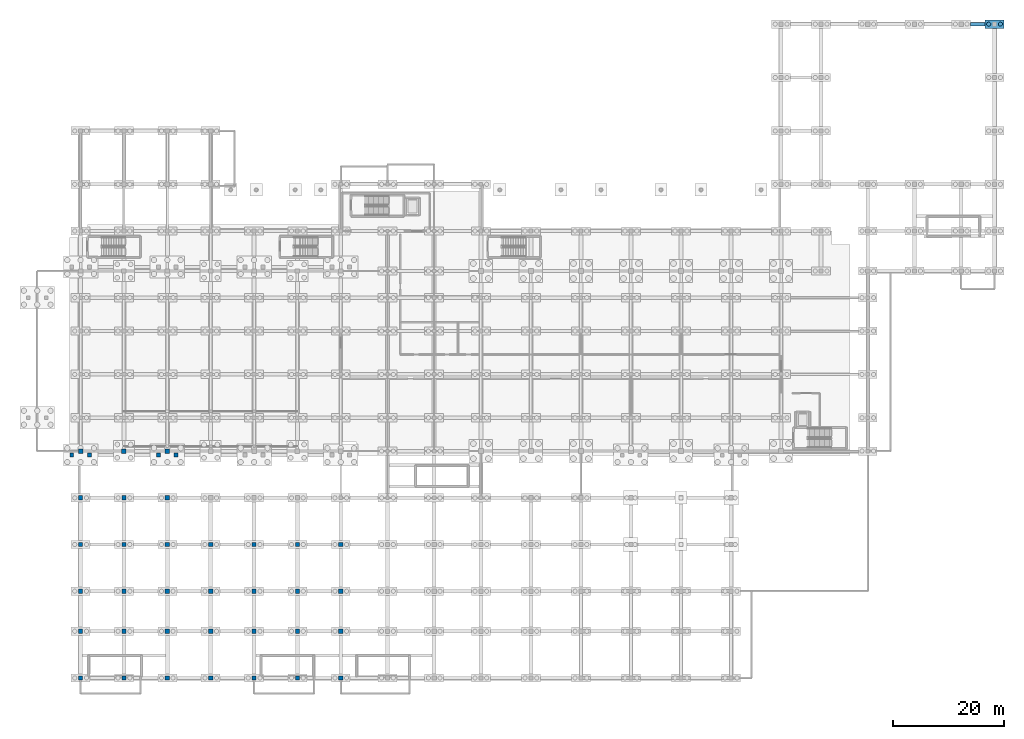
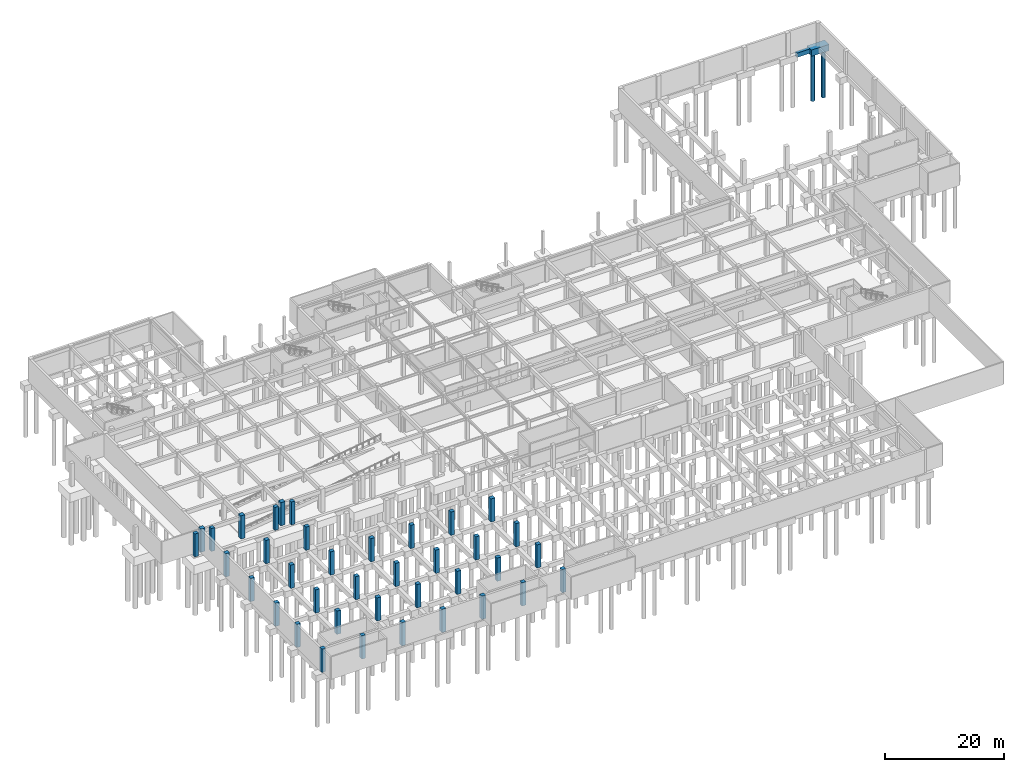
# One storey, part 9 of 26: 38 columns, 2 footings, 2 piles.
"""IFC4 building model written with IfcOpenShell, lengths in metres."""

from ifc_helpers import new_model, si_unit, direction, frame, origin, origin_2d, place, context, subcontext, project, spatial, rectangle, circle, extrude, material, material_profile, profile_set, type_object, element, save


model = new_model("IFC4")

# Units and contexts
model_context = context("Model", 3, precision=1e-05, world=origin(), true_north=direction((0.0, 1.0)))
body_context = subcontext(model_context, "Body", "Model", "MODEL_VIEW")
ifc_project = project(units=[si_unit("LENGTHUNIT", "METRE"), si_unit("AREAUNIT", "SQUARE_METRE"), si_unit("VOLUMEUNIT", "CUBIC_METRE"), si_unit("PLANEANGLEUNIT", "RADIAN"), si_unit("MASSUNIT", "GRAM", prefix="KILO")], contexts=[model_context])

# Site, building, storey
site_placement = place(None, origin())
site = spatial("IfcSite", under=ifc_project, at=site_placement, CompositionType="ELEMENT")
building_placement = place(site_placement, origin())
building = spatial("IfcBuilding", under=site, at=building_placement, Name="Tizgana Railside Sports Hall", CompositionType="ELEMENT")
storey_placement = place(building_placement, frame((0.0, 0.0, -4.800048828125)))
storey = spatial("IfcBuildingStorey", under=building, at=storey_placement, Name="B1", CompositionType="ELEMENT", Elevation=-4.800048828125)

# Piles
ifc_material_1 = material(Name="Concrete C35/45", Category="concrete")
ifc_material_profile_1 = material_profile(ifc_material_1, circle(Radius=0.375, at=origin_2d()), Name="PILE D750")
ifc_profile_set_1 = profile_set([ifc_material_profile_1], Name="Concrete C35/45")
pile_type = type_object("IfcPileType", Name="Bored Pile D750", PredefinedType="BORED", material=ifc_profile_set_1)
for number, where, z_axis, x_axis, name in (
    (1, (171.14990234375, 117.60009765625, -1.199951171875), (0.0, 0.0, -1.0), (1.0, 0.0, 0.0), "B1 PIL-0549"),
    (2, (173.25, 117.60009765625, -1.199951171875), (0.0, 0.0, -1.0), (1.0, 0.0, 0.0), "B1 PIL-0550"),
):
    element("IfcPile", number, at=place(storey_placement, frame(where, z_axis=z_axis, x_axis=x_axis)), inside=storey, type_object=pile_type, Name=name, PredefinedType="BORED", context=body_context, shape_type="SweptSolid", body=[
        extrude(circle(Radius=0.375, at=origin_2d()), origin(), (0.0, 0.0, 1.0), 9.800048828125),
    ])

# Footings
footing_type_1 = type_object("IfcFootingType", Name="Ground Tie Beam 600x900", PredefinedType="FOOTING_BEAM", material=ifc_material_1)
footing_1_placement = place(storey_placement, frame((169.199951171875, 117.60009765625, -0.89990234375), z_axis=(0.0, 0.0, 1.0), x_axis=(1.0, 0.0, 0.0)))
element("IfcFooting", 3, at=footing_1_placement, inside=storey, type_object=footing_type_1, Name="B1 FTG-0442", PredefinedType="FOOTING_BEAM", context=body_context, shape_type="SweptSolid", body=[
    extrude(rectangle(XDim=2.60400390625, YDim=0.60009765625, at=origin_2d()), origin(), (0.0, 0.0, 1.0), 0.89990234375),
])
footing_type_2 = type_object("IfcFootingType", Name="Two-Pile Cap 3400x1500x1300", PredefinedType="PILE_CAP", material=ifc_material_1)
footing_2_placement = place(storey_placement, frame((172.199951171875, 117.60009765625, -1.2998046875), z_axis=(0.0, 0.0, 1.0), x_axis=(1.0, 0.0, 0.0)))
element("IfcFooting", 4, at=footing_2_placement, inside=storey, type_object=footing_type_2, Name="B1 FTG-0234", PredefinedType="PILE_CAP", context=body_context, shape_type="SweptSolid", body=[
    extrude(rectangle(XDim=3.39990234375, YDim=1.5, at=origin_2d()), origin(), (0.0, 0.0, 1.0), 1.300048828125),
])

# Columns
ifc_material_2 = material(Name="Concrete C40/50", Category="concrete")
ifc_material_profile_2 = material_profile(ifc_material_2, rectangle(XDim=0.699951171875, YDim=0.699951171875, at=origin_2d()), Name="RC 700x700")
ifc_profile_set_2 = profile_set([ifc_material_profile_2], Name="Concrete C40/50")
column_type_1 = type_object("IfcColumnType", Name="Concrete Column RC 700x700", PredefinedType="COLUMN", material=ifc_profile_set_2)
for number, where, z_axis, x_axis, name in (
    (5, (6.205078125, 40.080078125, 0.0), (0.0, 0.0, 1.0), (1.0, 0.0, 0.0), "B1 COL-0004"),
    (6, (9.39501953125, 40.080078125, 0.0), (0.0, 0.0, 1.0), (1.0, 0.0, 0.0), "B1 COL-0006"),
    (7, (21.804931640625, 40.080078125, 0.0), (0.0, 0.0, 1.0), (1.0, 0.0, 0.0), "B1 COL-0052"),
    (8, (24.9951171875, 40.080078125, 0.0), (0.0, 0.0, 1.0), (1.0, 0.0, 0.0), "B1 COL-0054"),
):
    element("IfcColumn", number, at=place(storey_placement, frame(where, z_axis=z_axis, x_axis=x_axis)), inside=storey, type_object=column_type_1, Name=name, PredefinedType="COLUMN", context=body_context, shape_type="SweptSolid", body=[
        extrude(rectangle(XDim=0.699951171875, YDim=0.699951171875, at=origin_2d()), origin(), (0.0, 0.0, 1.0), 4.755126953125),
    ])
ifc_material_profile_3 = material_profile(ifc_material_2, rectangle(XDim=0.75, YDim=0.75, at=origin_2d()), Name="RC 750x750")
ifc_profile_set_3 = profile_set([ifc_material_profile_3], Name="Concrete C40/50")
column_type_2 = type_object("IfcColumnType", Name="Concrete Column RC 750x750", PredefinedType="COLUMN", material=ifc_profile_set_3)
for number, where, z_axis, x_axis, name in (
    (9, (7.800048828125, 0.0, 0.0), (0.0, 0.0, 1.0), (1.0, 0.0, 0.0), "B1 COL-0533"),
    (10, (7.800048828125, 8.39990234375, 0.0), (0.0, 0.0, 1.0), (1.0, 0.0, 0.0), "B1 COL-0540"),
    (11, (7.800048828125, 15.60009765625, 0.0), (0.0, 0.0, 1.0), (1.0, 0.0, 0.0), "B1 COL-0547"),
    (12, (7.800048828125, 24.0, 0.0), (0.0, 0.0, 1.0), (1.0, 0.0, 0.0), "B1 COL-0554"),
    (13, (7.800048828125, 32.39990234375, 0.0), (0.0, 0.0, 1.0), (1.0, 0.0, 0.0), "B1 COL-0560"),
    (14, (15.60009765625, 0.0, 0.0), (0.0, 0.0, 1.0), (1.0, 0.0, 0.0), "B1 COL-0566"),
    (15, (15.60009765625, 8.39990234375, 0.0), (0.0, 0.0, 1.0), (1.0, 0.0, 0.0), "B1 COL-0573"),
    (16, (15.60009765625, 15.60009765625, 0.0), (0.0, 0.0, 1.0), (1.0, 0.0, 0.0), "B1 COL-0580"),
    (17, (15.60009765625, 24.0, 0.0), (0.0, 0.0, 1.0), (1.0, 0.0, 0.0), "B1 COL-0587"),
    (18, (15.60009765625, 32.39990234375, 0.0), (0.0, 0.0, 1.0), (1.0, 0.0, 0.0), "B1 COL-0593"),
    (19, (23.39990234375, 0.0, 0.0), (0.0, 0.0, 1.0), (1.0, 0.0, 0.0), "B1 COL-0599"),
    (20, (23.39990234375, 8.39990234375, 0.0), (0.0, 0.0, 1.0), (1.0, 0.0, 0.0), "B1 COL-0606"),
    (21, (23.39990234375, 15.60009765625, 0.0), (0.0, 0.0, 1.0), (1.0, 0.0, 0.0), "B1 COL-0613"),
    (22, (23.39990234375, 24.0, 0.0), (0.0, 0.0, 1.0), (1.0, 0.0, 0.0), "B1 COL-0620"),
    (23, (23.39990234375, 32.39990234375, 0.0), (0.0, 0.0, 1.0), (1.0, 0.0, 0.0), "B1 COL-0626"),
    (24, (31.199951171875, 0.0, 0.0), (0.0, 0.0, 1.0), (1.0, 0.0, 0.0), "B1 COL-0632"),
    (25, (31.199951171875, 8.39990234375, 0.0), (0.0, 0.0, 1.0), (1.0, 0.0, 0.0), "B1 COL-0638"),
    (26, (31.199951171875, 15.60009765625, 0.0), (0.0, 0.0, 1.0), (1.0, 0.0, 0.0), "B1 COL-0644"),
    (27, (31.199951171875, 24.0, 0.0), (0.0, 0.0, 1.0), (1.0, 0.0, 0.0), "B1 COL-0650"),
    (28, (39.0, 0.0, 0.0), (0.0, 0.0, 1.0), (1.0, 0.0, 0.0), "B1 COL-0662"),
    (29, (39.0, 8.39990234375, 0.0), (0.0, 0.0, 1.0), (1.0, 0.0, 0.0), "B1 COL-0668"),
    (30, (39.0, 15.60009765625, 0.0), (0.0, 0.0, 1.0), (1.0, 0.0, 0.0), "B1 COL-0674"),
    (31, (39.0, 24.0, 0.0), (0.0, 0.0, 1.0), (1.0, 0.0, 0.0), "B1 COL-0680"),
    (32, (46.800048828125, 0.0, 0.0), (0.0, 0.0, 1.0), (1.0, 0.0, 0.0), "B1 COL-0692"),
    (33, (46.800048828125, 8.39990234375, 0.0), (0.0, 0.0, 1.0), (1.0, 0.0, 0.0), "B1 COL-0698"),
    (34, (46.800048828125, 15.60009765625, 0.0), (0.0, 0.0, 1.0), (1.0, 0.0, 0.0), "B1 COL-0704"),
    (35, (46.800048828125, 24.0, 0.0), (0.0, 0.0, 1.0), (1.0, 0.0, 0.0), "B1 COL-0710"),
    (36, (54.60009765625, 0.0, 0.0), (0.0, 0.0, 1.0), (1.0, 0.0, 0.0), "B1 COL-0722"),
    (37, (54.60009765625, 8.39990234375, 0.0), (0.0, 0.0, 1.0), (1.0, 0.0, 0.0), "B1 COL-0728"),
    (38, (54.60009765625, 15.60009765625, 0.0), (0.0, 0.0, 1.0), (1.0, 0.0, 0.0), "B1 COL-0734"),
    (39, (54.60009765625, 24.0, 0.0), (0.0, 0.0, 1.0), (1.0, 0.0, 0.0), "B1 COL-0740"),
):
    element("IfcColumn", number, at=place(storey_placement, frame(where, z_axis=z_axis, x_axis=x_axis)), inside=storey, type_object=column_type_2, Name=name, PredefinedType="COLUMN", context=body_context, shape_type="SweptSolid", body=[
        extrude(rectangle(XDim=0.75, YDim=0.75, at=origin_2d()), origin(), (0.0, 0.0, 1.0), 4.800048828125),
    ])
ifc_material_profile_4 = material_profile(ifc_material_2, rectangle(XDim=0.800048828125, YDim=0.800048828125, at=origin_2d()), Name="RC 800x800")
ifc_profile_set_4 = profile_set([ifc_material_profile_4], Name="Concrete C40/50")
column_type_3 = type_object("IfcColumnType", Name="Concrete Column RC 800x800", PredefinedType="COLUMN", material=ifc_profile_set_4)
for number, where, z_axis, x_axis, name in (
    (40, (7.800048828125, 40.800048828125, 0.0), (0.0, 0.0, 1.0), (1.0, 0.0, 0.0), "B1 COL-0001"),
    (41, (15.60009765625, 40.800048828125, 0.0), (0.0, 0.0, 1.0), (1.0, 0.0, 0.0), "B1 COL-0029"),
    (42, (23.39990234375, 40.800048828125, 0.0), (0.0, 0.0, 1.0), (1.0, 0.0, 0.0), "B1 COL-0049"),
):
    element("IfcColumn", number, at=place(storey_placement, frame(where, z_axis=z_axis, x_axis=x_axis)), inside=storey, type_object=column_type_3, Name=name, PredefinedType="COLUMN", context=body_context, shape_type="SweptSolid", body=[
        extrude(rectangle(XDim=0.800048828125, YDim=0.800048828125, at=origin_2d()), origin(), (0.0, 0.0, 1.0), 4.800048828125),
    ])

save(model, "model.ifc")
